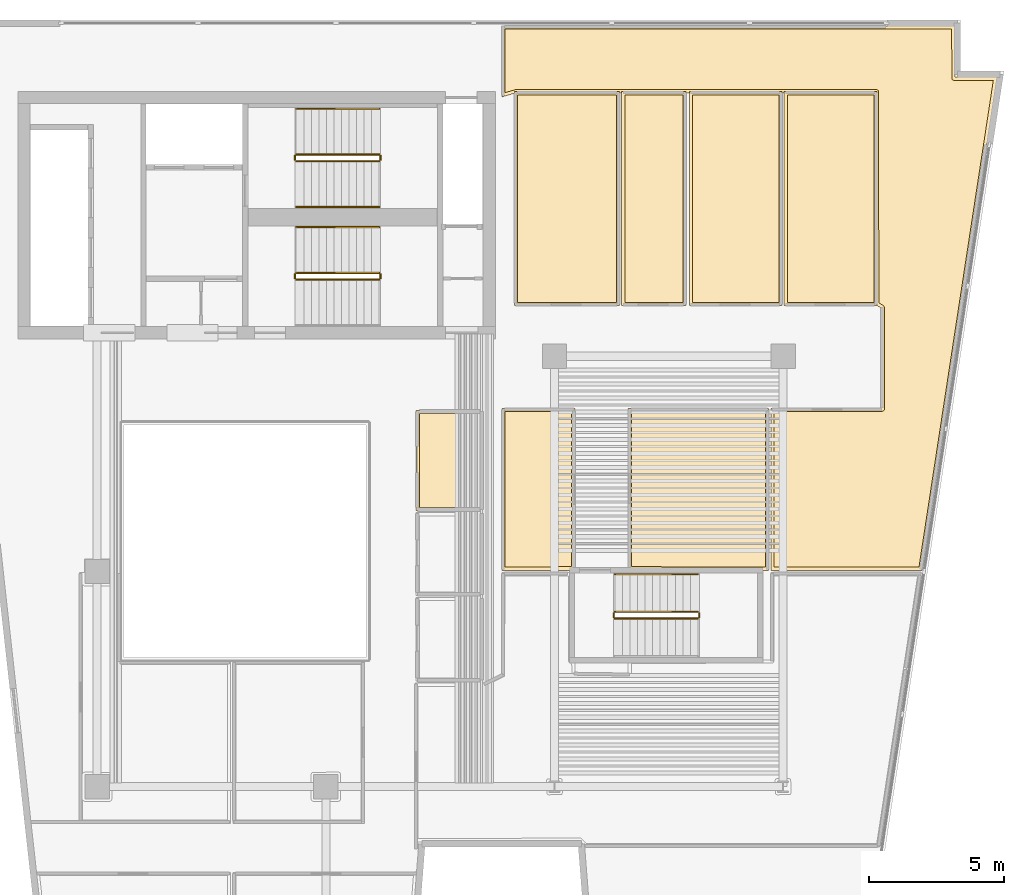
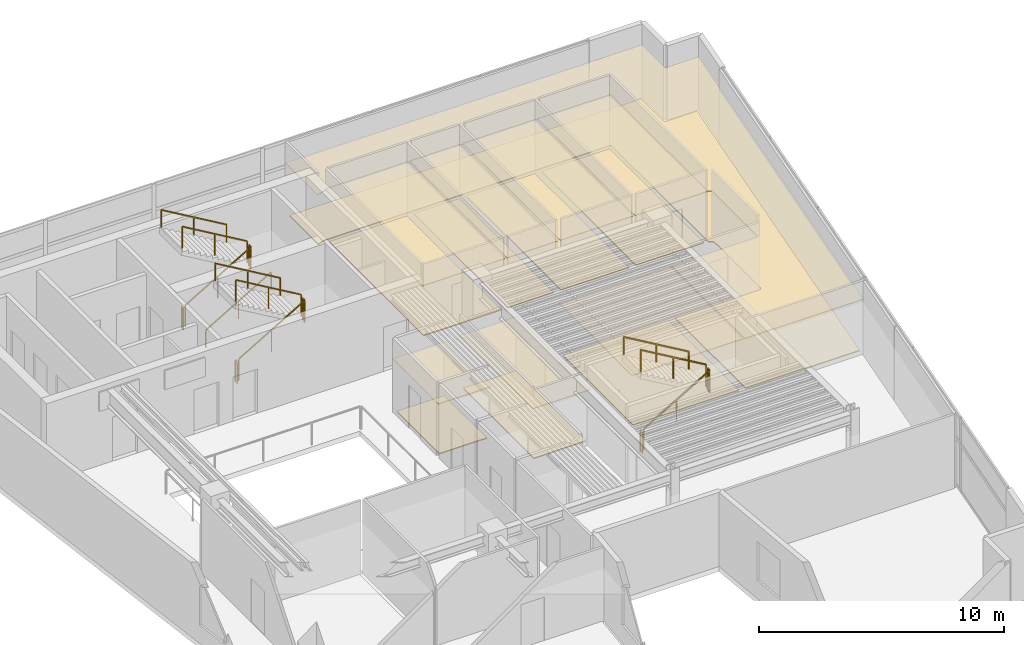
# One storey, part 8 of 8: 16 coverings, 16 railings.
"""IFC4 building model written with IfcOpenShell, lengths in metres."""

from ifc_helpers import new_model, si_unit, direction, frame, origin, origin_2d, place, context, subcontext, project, spatial, polyline, rectangle, outline, extrude, material, layer, layer_set, type_object, element, save


model = new_model("IFC4")

# Units and contexts
model_context = context("Model", 3, precision=1e-05, world=origin(), true_north=direction((0.0, 1.0)))
body_context = subcontext(model_context, "Body", "Model", "MODEL_VIEW")
ifc_project = project(units=[si_unit("LENGTHUNIT", "METRE"), si_unit("AREAUNIT", "SQUARE_METRE"), si_unit("VOLUMEUNIT", "CUBIC_METRE"), si_unit("PLANEANGLEUNIT", "RADIAN"), si_unit("MASSUNIT", "GRAM", prefix="KILO")], contexts=[model_context])

# Site, building, storey
site_placement = place(None, origin())
site = spatial("IfcSite", under=ifc_project, at=site_placement, CompositionType="ELEMENT")
building_placement = place(site_placement, origin())
building = spatial("IfcBuilding", under=site, at=building_placement, Name="Caeloran Harvest Quay", CompositionType="ELEMENT")
storey_placement = place(building_placement, frame((0.0, 0.0, 243.0)))
storey = spatial("IfcBuildingStorey", under=building, at=storey_placement, Name="L58", CompositionType="ELEMENT", Elevation=243.0)

# Coverings
ifc_material_1 = material(Name="Perforated Mineral-Fibre Acoustic Ceiling Tile", Category="ceiling")
ifc_layer_1 = layer(ifc_material_1, 0.0400390625, Name="Perforated Mineral-Fibre Acoustic Ceiling Tile")
ifc_layer_set_1 = layer_set([ifc_layer_1], Name="Perforated Mineral-Fibre Acoustic Ceiling Tile")
covering_type_1 = type_object("IfcCoveringType", Name="COV-CEILING-ACOUSTIC", PredefinedType="CEILING", material=ifc_layer_set_1)
covering_1_placement = place(storey_placement, frame((0.0, 0.0, 2.60009765625)))
element("IfcCovering", 1, at=covering_1_placement, inside=storey, type_object=covering_type_1, Name="L58 Crop Phenotyping West Laboratory Acoustic Ceiling", PredefinedType="CEILING", context=body_context, shape_type="SweptSolid", body=[
    extrude(outline(polyline([(27.919921875, 40.840087890625), (27.919921875, 32.8798828125), (24.010009765625, 32.8798828125), (24.010009765625, 40.840087890625), (27.919921875, 40.840087890625)])), origin(), (0.0, 0.0, 1.0), 0.039794921875),
])
covering_2_placement = place(storey_placement, frame((0.0, 0.0, 2.60009765625)))
element("IfcCovering", 2, at=covering_2_placement, inside=storey, type_object=covering_type_1, Name="L58 Genomics Sequencing East Studio Acoustic Ceiling", PredefinedType="CEILING", context=body_context, shape_type="SweptSolid", body=[
    extrude(outline(polyline([(30.389892578125, 40.840087890625), (30.389892578125, 32.8798828125), (28.0, 32.8798828125), (28.0, 40.840087890625), (30.389892578125, 40.840087890625)])), origin(), (0.0, 0.0, 1.0), 0.039794921875),
])
covering_3_placement = place(storey_placement, frame((0.0, 0.0, 2.60009765625)))
element("IfcCovering", 3, at=covering_3_placement, inside=storey, type_object=covering_type_1, Name="L58 Agri-Genomics West Boardroom Acoustic Ceiling", PredefinedType="CEILING", context=body_context, shape_type="SweptSolid", body=[
    extrude(outline(polyline([(33.9599609375, 40.840087890625), (33.9599609375, 32.8798828125), (30.510009765625, 32.8798828125), (30.510009765625, 40.840087890625), (33.9599609375, 40.840087890625)])), origin(), (0.0, 0.0, 1.0), 0.039794921875),
])
covering_4_placement = place(storey_placement, frame((0.0, 0.0, 2.60009765625)))
element("IfcCovering", 4, at=covering_4_placement, inside=storey, type_object=covering_type_1, Name="L58 Executive Strategy East Office Acoustic Ceiling", PredefinedType="CEILING", context=body_context, shape_type="SweptSolid", body=[
    extrude(outline(polyline([(37.489990234375, 40.840087890625), (37.489990234375, 32.8798828125), (34.0400390625, 32.8798828125), (34.0400390625, 40.840087890625), (37.489990234375, 40.840087890625)])), origin(), (0.0, 0.0, 1.0), 0.039794921875),
])
covering_5_placement = place(storey_placement, frame((0.0, 0.0, 2.60009765625)))
element("IfcCovering", 5, at=covering_5_placement, inside=storey, type_object=covering_type_1, Name="L58 Male Washroom WC Acoustic Ceiling", PredefinedType="CEILING", context=body_context, shape_type="SweptSolid", body=[
    extrude(outline(polyline([(22.840087890625, 28.989990234375), (22.840087890625, 25.260009765625), (20.360107421875, 25.260009765625), (20.360107421875, 28.989990234375), (22.840087890625, 28.989990234375)])), origin(), (0.0, 0.0, 1.0), 0.039794921875),
])
covering_6_placement = place(storey_placement, frame((0.0, 0.0, 2.60009765625)))
element("IfcCovering", 6, at=covering_6_placement, inside=storey, type_object=covering_type_1, Name="Model Workshop Laboratory Acoustic Ceiling", PredefinedType="CEILING", context=body_context, shape_type="SweptSolid", body=[
    extrude(outline(polyline([(26.13720703125, 23.06005859375), (26.1298828125, 23.0400390625), (23.5400390625, 23.0400390625), (23.5400390625, 29.06005859375), (26.260009765625, 29.06005859375), (26.260009765625, 23.06005859375), (26.13720703125, 23.06005859375)])), origin(), (0.0, 0.0, 1.0), 0.039794921875),
])
covering_7_placement = place(storey_placement, frame((0.0, 0.0, 2.60009765625)))
element("IfcCovering", 7, at=covering_7_placement, inside=storey, type_object=covering_type_1, Name="Sustainable Urbanism Advisory Office 7 Acoustic Ceiling", PredefinedType="CEILING", context=body_context, shape_type="SweptSolid", body=[
    extrude(outline(polyline([(33.162841796875, 23.06005859375), (28.239990234375, 23.06005859375), (28.239990234375, 29.06005859375), (33.4599609375, 29.06005859375), (33.4599609375, 23.0400390625), (33.170166015625, 23.0400390625), (33.162841796875, 23.06005859375)])), origin(), (0.0, 0.0, 1.0), 0.039794921875),
])
covering_8_placement = place(storey_placement, frame((0.0, 0.0, 2.60009765625)))
element("IfcCovering", 8, at=covering_8_placement, inside=storey, type_object=covering_type_1, Name="GIS Spatial Modelling Lab 8 Acoustic Ceiling", PredefinedType="CEILING", context=body_context, shape_type="SweptSolid", body=[
    extrude(outline(polyline([(23.5400390625, 40.63916015625), (23.5400390625, 43.280029296875), (40.3798828125, 43.280029296875), (40.3798828125, 41.3798828125), (41.95361328125, 41.3798828125), (39.151611328125, 23.0400390625), (33.5400390625, 23.0400390625), (33.5400390625, 29.06005859375), (37.639892578125, 29.06005859375), (37.639892578125, 32.79931640625), (37.43994140625, 32.909912109375), (37.43994140625, 40.7900390625), (24.0556640625, 40.7900390625), (23.5400390625, 40.63916015625)])), origin(), (0.0, 0.0, 1.0), 0.039794921875),
])
ifc_material_2 = material(Name="Calcium-Sulphate Raised Access Floor and Terrazzo Finish", Category="flooring")
ifc_layer_2 = layer(ifc_material_2, 0.050048828125, Name="Calcium-Sulphate Raised Access Floor and Terrazzo Finish")
ifc_layer_set_2 = layer_set([ifc_layer_2], Name="Calcium-Sulphate Raised Access Floor and Terrazzo Finish")
covering_type_2 = type_object("IfcCoveringType", Name="COV-FLOOR-RAISED", PredefinedType="FLOORING", material=ifc_layer_set_2)
covering_9_placement = place(storey_placement, origin())
element("IfcCovering", 9, at=covering_9_placement, inside=storey, type_object=covering_type_2, Name="L58 Crop Phenotyping West Laboratory Raised Finish Flooring", PredefinedType="FLOORING", context=body_context, shape_type="SweptSolid", body=[
    extrude(outline(polyline([(27.800048828125, 40.719970703125), (27.800048828125, 33.0), (24.1298828125, 33.0), (24.1298828125, 40.719970703125), (27.800048828125, 40.719970703125)])), origin(), (0.0, 0.0, 1.0), 0.050048828125),
])
covering_10_placement = place(storey_placement, origin())
element("IfcCovering", 10, at=covering_10_placement, inside=storey, type_object=covering_type_2, Name="L58 Genomics Sequencing East Studio Raised Finish Flooring", PredefinedType="FLOORING", context=body_context, shape_type="SweptSolid", body=[
    extrude(outline(polyline([(30.27001953125, 40.719970703125), (30.27001953125, 33.0), (28.1201171875, 33.0), (28.1201171875, 40.719970703125), (30.27001953125, 40.719970703125)])), origin(), (0.0, 0.0, 1.0), 0.050048828125),
])
covering_11_placement = place(storey_placement, origin())
element("IfcCovering", 11, at=covering_11_placement, inside=storey, type_object=covering_type_2, Name="L58 Agri-Genomics West Boardroom Raised Finish Flooring", PredefinedType="FLOORING", context=body_context, shape_type="SweptSolid", body=[
    extrude(outline(polyline([(33.840087890625, 40.719970703125), (33.840087890625, 33.0), (30.6298828125, 33.0), (30.6298828125, 40.719970703125), (33.840087890625, 40.719970703125)])), origin(), (0.0, 0.0, 1.0), 0.050048828125),
])
covering_12_placement = place(storey_placement, origin())
element("IfcCovering", 12, at=covering_12_placement, inside=storey, type_object=covering_type_2, Name="L58 Executive Strategy East Office Raised Finish Flooring", PredefinedType="FLOORING", context=body_context, shape_type="SweptSolid", body=[
    extrude(outline(polyline([(37.3701171875, 40.719970703125), (37.3701171875, 33.0), (34.159912109375, 33.0), (34.159912109375, 40.719970703125), (37.3701171875, 40.719970703125)])), origin(), (0.0, 0.0, 1.0), 0.050048828125),
])
covering_13_placement = place(storey_placement, origin())
element("IfcCovering", 13, at=covering_13_placement, inside=storey, type_object=covering_type_2, Name="L58 Male Washroom WC Raised Finish Flooring", PredefinedType="FLOORING", context=body_context, shape_type="SweptSolid", body=[
    extrude(outline(polyline([(22.719970703125, 28.8701171875), (22.719970703125, 25.3798828125), (20.47998046875, 25.3798828125), (20.47998046875, 28.8701171875), (22.719970703125, 28.8701171875)])), origin(), (0.0, 0.0, 1.0), 0.050048828125),
])
covering_14_placement = place(storey_placement, origin())
element("IfcCovering", 14, at=covering_14_placement, inside=storey, type_object=covering_type_2, Name="Model Workshop Laboratory Raised Finish Flooring", PredefinedType="FLOORING", context=body_context, shape_type="SweptSolid", body=[
    extrude(outline(polyline([(26.139892578125, 23.179931640625), (23.659912109375, 23.159912109375), (23.659912109375, 28.93994140625), (26.139892578125, 28.93994140625), (26.139892578125, 23.179931640625)])), origin(), (0.0, 0.0, 1.0), 0.050048828125),
])
covering_15_placement = place(storey_placement, origin())
element("IfcCovering", 15, at=covering_15_placement, inside=storey, type_object=covering_type_2, Name="Sustainable Urbanism Advisory Office 7 Raised Finish Flooring", PredefinedType="FLOORING", context=body_context, shape_type="SweptSolid", body=[
    extrude(outline(polyline([(33.340087890625, 23.159912109375), (28.360107421875, 23.179931640625), (28.360107421875, 28.93994140625), (33.340087890625, 28.93994140625), (33.340087890625, 23.159912109375)])), origin(), (0.0, 0.0, 1.0), 0.050048828125),
])
covering_16_placement = place(storey_placement, origin())
element("IfcCovering", 16, at=covering_16_placement, inside=storey, type_object=covering_type_2, Name="GIS Spatial Modelling Lab 8 Raised Finish Flooring", PredefinedType="FLOORING", context=body_context, shape_type="SweptSolid", body=[
    extrude(outline(polyline([(23.659912109375, 40.79931640625), (23.659912109375, 43.159912109375), (40.260009765625, 43.159912109375), (40.2783203125, 41.289306640625), (40.340087890625, 41.260009765625), (41.813720703125, 41.260009765625), (39.048583984375, 23.159912109375), (33.659912109375, 23.159912109375), (33.659912109375, 28.93994140625), (37.679931640625, 28.93994140625), (37.758544921875, 29.00439453125), (37.759521484375, 32.830810546875), (37.72509765625, 32.888916015625), (37.56005859375, 32.980712890625), (37.541748046875, 40.880859375), (37.47998046875, 40.909912109375), (24.050048828125, 40.909912109375), (23.659912109375, 40.79931640625)])), origin(), (0.0, 0.0, 1.0), 0.050048828125),
])

# Railings
ifc_material_3 = material(Name="Painted Steel Baluster and Top-Rail Stair Guard", Category="steel")
ifc_layer_3 = layer(ifc_material_3, 0.050048828125, Name="Painted Steel Baluster and Top-Rail Stair Guard")
ifc_layer_set_3 = layer_set([ifc_layer_3], Name="Painted Steel Baluster and Top-Rail Stair Guard")
railing_type_1 = type_object("IfcRailingType", Name="STAIR-GUARD-1100", PredefinedType="GUARDRAIL", material=ifc_layer_set_3)
railing_1_placement = place(storey_placement, frame((15.89990234375, 38.25, 0.16455078125)))
element("IfcRailing", 17, at=railing_1_placement, inside=storey, type_object=railing_type_1, Name="L58 ST-C1 stair guard 1", PredefinedType="GUARDRAIL", context=body_context, shape_type="SweptSolid", body=[
    extrude(rectangle(XDim=0.048095703125, YDim=0.048095703125, at=origin_2d()), frame((0.0, 0.0, 1.076171875), z_axis=(0.862088758681, 0.0, 0.506757310905), x_axis=(0.0, 1.0, 0.0)), (0.0, 0.0, 1.0), 3.57275390625),
    extrude(rectangle(XDim=0.0419921875, YDim=0.0419921875, at=origin_2d()), origin(), (0.0, 0.0, 1.0), 1.052001953125),
    extrude(rectangle(XDim=0.0419921875, YDim=0.0419921875, at=origin_2d()), frame((1.5400390625, 0.0, 0.9052734375)), (0.0, 0.0, 1.0), 1.052001953125),
    extrude(rectangle(XDim=0.0419921875, YDim=0.0419921875, at=origin_2d()), frame((3.080078125, 0.0, 1.810546875)), (0.0, 0.0, 1.0), 1.052001953125),
])
railing_2_placement = place(storey_placement, frame((19.030029296875, 38.300048828125, 1.97509765625)))
element("IfcRailing", 18, at=railing_2_placement, inside=storey, type_object=railing_type_1, Name="L58 ST-C1 stair guard 2", PredefinedType="GUARDRAIL", context=body_context, shape_type="SweptSolid", body=[
    extrude(rectangle(XDim=0.048095703125, YDim=0.048095703125, at=origin_2d()), frame((0.0, 0.0, 1.076171875), z_axis=(0.0, 1.0, 0.0), x_axis=(-1.0, 0.0, 0.0)), (0.0, 0.0, 1.0), 0.14990234375),
    extrude(rectangle(XDim=0.0419921875, YDim=0.0419921875, at=origin_2d()), origin(), (0.0, 0.0, 1.0), 1.052001953125),
    extrude(rectangle(XDim=0.0419921875, YDim=0.0419921875, at=origin_2d()), frame((0.0, 0.14990234375, 0.0)), (0.0, 0.0, 1.0), 1.052001953125),
])
railing_3_placement = place(storey_placement, frame((18.97998046875, 38.5, 2.1396484375)))
element("IfcRailing", 19, at=railing_3_placement, inside=storey, type_object=railing_type_1, Name="L58 ST-C1 stair guard 3", PredefinedType="GUARDRAIL", context=body_context, shape_type="SweptSolid", body=[
    extrude(rectangle(XDim=0.048095703125, YDim=0.048095703125, at=origin_2d()), frame((0.0, 0.0, 1.076171875), z_axis=(-0.862118610829, 0.0, 0.506706523406), x_axis=(0.0, -1.0, 0.0)), (0.0, 0.0, 1.0), 3.57275390625),
    extrude(rectangle(XDim=0.0419921875, YDim=0.0419921875, at=origin_2d()), origin(), (0.0, 0.0, 1.0), 1.052001953125),
    extrude(rectangle(XDim=0.0419921875, YDim=0.0419921875, at=origin_2d()), frame((-1.5400390625, 0.0, 0.9052734375)), (0.0, 0.0, 1.0), 1.052001953125),
    extrude(rectangle(XDim=0.0419921875, YDim=0.0419921875, at=origin_2d()), frame((-3.080078125, 0.0, 1.810302734375)), (0.0, 0.0, 1.0), 1.052001953125),
])
railing_4_placement = place(storey_placement, frame((15.85009765625, 38.300048828125, 0.0)))
element("IfcRailing", 20, at=railing_4_placement, inside=storey, type_object=railing_type_1, Name="L58 ST-C1 stair guard 4", PredefinedType="GUARDRAIL", context=body_context, shape_type="SweptSolid", body=[
    extrude(rectangle(XDim=0.048095703125, YDim=0.048095703125, at=origin_2d()), frame((0.0, 0.0, 1.076171875), z_axis=(0.0, 1.0, 0.0), x_axis=(-1.0, 0.0, 0.0)), (0.0, 0.0, 1.0), 0.14990234375),
    extrude(rectangle(XDim=0.0419921875, YDim=0.0419921875, at=origin_2d()), origin(), (0.0, 0.0, 1.0), 1.052001953125),
    extrude(rectangle(XDim=0.0419921875, YDim=0.0419921875, at=origin_2d()), frame((0.0, 0.14990234375, 0.0)), (0.0, 0.0, 1.0), 1.052001953125),
])
railing_5_placement = place(storey_placement, frame((15.89990234375, 33.85009765625, 0.16455078125)))
element("IfcRailing", 21, at=railing_5_placement, inside=storey, type_object=railing_type_1, Name="L58 ST-C2 stair guard 1", PredefinedType="GUARDRAIL", context=body_context, shape_type="SweptSolid", body=[
    extrude(rectangle(XDim=0.048095703125, YDim=0.048095703125, at=origin_2d()), frame((0.0, 0.0, 1.076171875), z_axis=(0.862088758681, 0.0, 0.506757310905), x_axis=(0.0, 1.0, 0.0)), (0.0, 0.0, 1.0), 3.57275390625),
    extrude(rectangle(XDim=0.0419921875, YDim=0.0419921875, at=origin_2d()), origin(), (0.0, 0.0, 1.0), 1.052001953125),
    extrude(rectangle(XDim=0.0419921875, YDim=0.0419921875, at=origin_2d()), frame((1.5400390625, 0.0, 0.9052734375)), (0.0, 0.0, 1.0), 1.052001953125),
    extrude(rectangle(XDim=0.0419921875, YDim=0.0419921875, at=origin_2d()), frame((3.080078125, 0.0, 1.810546875)), (0.0, 0.0, 1.0), 1.052001953125),
])
railing_6_placement = place(storey_placement, frame((19.030029296875, 33.89990234375, 1.97509765625)))
element("IfcRailing", 22, at=railing_6_placement, inside=storey, type_object=railing_type_1, Name="L58 ST-C2 stair guard 2", PredefinedType="GUARDRAIL", context=body_context, shape_type="SweptSolid", body=[
    extrude(rectangle(XDim=0.048095703125, YDim=0.048095703125, at=origin_2d()), frame((0.0, 0.0, 1.076171875), z_axis=(0.0, 1.0, 0.0), x_axis=(-1.0, 0.0, 0.0)), (0.0, 0.0, 1.0), 0.150146484375),
    extrude(rectangle(XDim=0.0419921875, YDim=0.0419921875, at=origin_2d()), origin(), (0.0, 0.0, 1.0), 1.052001953125),
    extrude(rectangle(XDim=0.0419921875, YDim=0.0419921875, at=origin_2d()), frame((0.0, 0.150146484375, 0.0)), (0.0, 0.0, 1.0), 1.052001953125),
])
railing_7_placement = place(storey_placement, frame((18.97998046875, 34.10009765625, 2.1396484375)))
element("IfcRailing", 23, at=railing_7_placement, inside=storey, type_object=railing_type_1, Name="L58 ST-C2 stair guard 3", PredefinedType="GUARDRAIL", context=body_context, shape_type="SweptSolid", body=[
    extrude(rectangle(XDim=0.048095703125, YDim=0.048095703125, at=origin_2d()), frame((0.0, 0.0, 1.076171875), z_axis=(-0.862118610829, 0.0, 0.506706523406), x_axis=(0.0, -1.0, 0.0)), (0.0, 0.0, 1.0), 3.57275390625),
    extrude(rectangle(XDim=0.0419921875, YDim=0.0419921875, at=origin_2d()), origin(), (0.0, 0.0, 1.0), 1.052001953125),
    extrude(rectangle(XDim=0.0419921875, YDim=0.0419921875, at=origin_2d()), frame((-1.5400390625, 0.0, 0.9052734375)), (0.0, 0.0, 1.0), 1.052001953125),
    extrude(rectangle(XDim=0.0419921875, YDim=0.0419921875, at=origin_2d()), frame((-3.080078125, 0.0, 1.810302734375)), (0.0, 0.0, 1.0), 1.052001953125),
])
railing_8_placement = place(storey_placement, frame((15.85009765625, 33.89990234375, 0.0)))
element("IfcRailing", 24, at=railing_8_placement, inside=storey, type_object=railing_type_1, Name="L58 ST-C2 stair guard 4", PredefinedType="GUARDRAIL", context=body_context, shape_type="SweptSolid", body=[
    extrude(rectangle(XDim=0.048095703125, YDim=0.048095703125, at=origin_2d()), frame((0.0, 0.0, 1.076171875), z_axis=(0.0, 1.0, 0.0), x_axis=(-1.0, 0.0, 0.0)), (0.0, 0.0, 1.0), 0.150146484375),
    extrude(rectangle(XDim=0.0419921875, YDim=0.0419921875, at=origin_2d()), origin(), (0.0, 0.0, 1.0), 1.052001953125),
    extrude(rectangle(XDim=0.0419921875, YDim=0.0419921875, at=origin_2d()), frame((0.0, 0.150146484375, 0.0)), (0.0, 0.0, 1.0), 1.052001953125),
])
railing_9_placement = place(storey_placement, frame((27.75, 21.25, 0.16455078125)))
element("IfcRailing", 25, at=railing_9_placement, inside=storey, type_object=railing_type_1, Name="L58 ST-W1 stair guard 1", PredefinedType="GUARDRAIL", context=body_context, shape_type="SweptSolid", body=[
    extrude(rectangle(XDim=0.048095703125, YDim=0.048095703125, at=origin_2d()), frame((0.0, 0.0, 1.076171875), z_axis=(0.862088758681, 0.0, 0.506757310905), x_axis=(0.0, 1.0, 0.0)), (0.0, 0.0, 1.0), 3.57275390625),
    extrude(rectangle(XDim=0.0419921875, YDim=0.0419921875, at=origin_2d()), origin(), (0.0, 0.0, 1.0), 1.052001953125),
    extrude(rectangle(XDim=0.0419921875, YDim=0.0419921875, at=origin_2d()), frame((1.5400390625, 0.0, 0.9052734375)), (0.0, 0.0, 1.0), 1.052001953125),
    extrude(rectangle(XDim=0.0419921875, YDim=0.0419921875, at=origin_2d()), frame((3.080078125, 0.0, 1.810546875)), (0.0, 0.0, 1.0), 1.052001953125),
])
railing_10_placement = place(storey_placement, frame((30.8798828125, 21.300048828125, 1.97509765625)))
element("IfcRailing", 26, at=railing_10_placement, inside=storey, type_object=railing_type_1, Name="L58 ST-W1 stair guard 2", PredefinedType="GUARDRAIL", context=body_context, shape_type="SweptSolid", body=[
    extrude(rectangle(XDim=0.048095703125, YDim=0.048095703125, at=origin_2d()), frame((0.0, 0.0, 1.076171875), z_axis=(0.0, 1.0, 0.0), x_axis=(-1.0, 0.0, 0.0)), (0.0, 0.0, 1.0), 0.14990234375),
    extrude(rectangle(XDim=0.0419921875, YDim=0.0419921875, at=origin_2d()), origin(), (0.0, 0.0, 1.0), 1.052001953125),
    extrude(rectangle(XDim=0.0419921875, YDim=0.0419921875, at=origin_2d()), frame((0.0, 0.14990234375, 0.0)), (0.0, 0.0, 1.0), 1.052001953125),
])
railing_11_placement = place(storey_placement, frame((30.830078125, 21.5, 2.1396484375)))
element("IfcRailing", 27, at=railing_11_placement, inside=storey, type_object=railing_type_1, Name="L58 ST-W1 stair guard 3", PredefinedType="GUARDRAIL", context=body_context, shape_type="SweptSolid", body=[
    extrude(rectangle(XDim=0.048095703125, YDim=0.048095703125, at=origin_2d()), frame((0.0, 0.0, 1.076171875), z_axis=(-0.862118610829, 0.0, 0.506706523406), x_axis=(0.0, -1.0, 0.0)), (0.0, 0.0, 1.0), 3.57275390625),
    extrude(rectangle(XDim=0.0419921875, YDim=0.0419921875, at=origin_2d()), origin(), (0.0, 0.0, 1.0), 1.052001953125),
    extrude(rectangle(XDim=0.0419921875, YDim=0.0419921875, at=origin_2d()), frame((-1.5400390625, 0.0, 0.9052734375)), (0.0, 0.0, 1.0), 1.052001953125),
    extrude(rectangle(XDim=0.0419921875, YDim=0.0419921875, at=origin_2d()), frame((-3.080078125, 0.0, 1.810302734375)), (0.0, 0.0, 1.0), 1.052001953125),
])
railing_12_placement = place(storey_placement, frame((27.699951171875, 21.300048828125, 0.0)))
element("IfcRailing", 28, at=railing_12_placement, inside=storey, type_object=railing_type_1, Name="L58 ST-W1 stair guard 4", PredefinedType="GUARDRAIL", context=body_context, shape_type="SweptSolid", body=[
    extrude(rectangle(XDim=0.048095703125, YDim=0.048095703125, at=origin_2d()), frame((0.0, 0.0, 1.076171875), z_axis=(0.0, 1.0, 0.0), x_axis=(-1.0, 0.0, 0.0)), (0.0, 0.0, 1.0), 0.14990234375),
    extrude(rectangle(XDim=0.0419921875, YDim=0.0419921875, at=origin_2d()), origin(), (0.0, 0.0, 1.0), 1.052001953125),
    extrude(rectangle(XDim=0.0419921875, YDim=0.0419921875, at=origin_2d()), frame((0.0, 0.14990234375, 0.0)), (0.0, 0.0, 1.0), 1.052001953125),
])
ifc_material_4 = material(Name="Brushed Stainless Steel Grade 304", Category="steel")
ifc_layer_4 = layer(ifc_material_4, 0.050048828125, Name="Brushed Stainless Steel Grade 304")
ifc_layer_set_4 = layer_set([ifc_layer_4], Name="Brushed Stainless Steel Grade 304")
railing_type_2 = type_object("IfcRailingType", Name="STAIR-HANDRAIL-900", PredefinedType="HANDRAIL", material=ifc_layer_set_4)
railing_13_placement = place(storey_placement, frame((15.89990234375, 36.550048828125, 0.16455078125)))
element("IfcRailing", 29, at=railing_13_placement, inside=storey, type_object=railing_type_2, Name="L58 ST-C1 stair handrail 1", PredefinedType="HANDRAIL", context=body_context, shape_type="SweptSolid", body=[
    extrude(rectangle(XDim=0.048095703125, YDim=0.048095703125, at=origin_2d()), frame((0.0, 0.0, 0.8759765625), z_axis=(0.862088758681, 0.0, 0.506757310905), x_axis=(0.0, 1.0, 0.0)), (0.0, 0.0, 1.0), 3.57275390625),
    extrude(rectangle(XDim=0.0419921875, YDim=0.0419921875, at=origin_2d()), origin(), (0.0, 0.0, 1.0), 0.851806640625),
    extrude(rectangle(XDim=0.0419921875, YDim=0.0419921875, at=origin_2d()), frame((1.5400390625, 0.0, 0.9052734375)), (0.0, 0.0, 1.0), 0.851806640625),
    extrude(rectangle(XDim=0.0419921875, YDim=0.0419921875, at=origin_2d()), frame((3.080078125, 0.0, 1.810546875)), (0.0, 0.0, 1.0), 0.851806640625),
])
for number, where, name in (
    (30, (18.97998046875, 40.199951171875, 2.1396484375), "L58 ST-C1 stair handrail 2"),
    (31, (18.97998046875, 35.800048828125, 2.1396484375), "L58 ST-C2 stair handrail 2"),
    (32, (30.830078125, 22.89990234375, 2.1396484375), "L58 ST-W1 stair handrail 2"),
):
    element("IfcRailing", number, at=place(storey_placement, frame(where)), inside=storey, type_object=railing_type_2, Name=name, PredefinedType="HANDRAIL", context=body_context, shape_type="SweptSolid", body=[
        extrude(rectangle(XDim=0.048095703125, YDim=0.048095703125, at=origin_2d()), frame((0.0, 0.0, 0.8759765625), z_axis=(-0.862118610829, 0.0, 0.506706523406), x_axis=(0.0, -1.0, 0.0)), (0.0, 0.0, 1.0), 3.57275390625),
        extrude(rectangle(XDim=0.0419921875, YDim=0.0419921875, at=origin_2d()), origin(), (0.0, 0.0, 1.0), 0.851806640625),
        extrude(rectangle(XDim=0.0419921875, YDim=0.0419921875, at=origin_2d()), frame((-1.5400390625, 0.0, 0.9052734375)), (0.0, 0.0, 1.0), 0.851806640625),
        extrude(rectangle(XDim=0.0419921875, YDim=0.0419921875, at=origin_2d()), frame((-3.080078125, 0.0, 1.810302734375)), (0.0, 0.0, 1.0), 0.851806640625),
    ])

save(model, "model.ifc")
